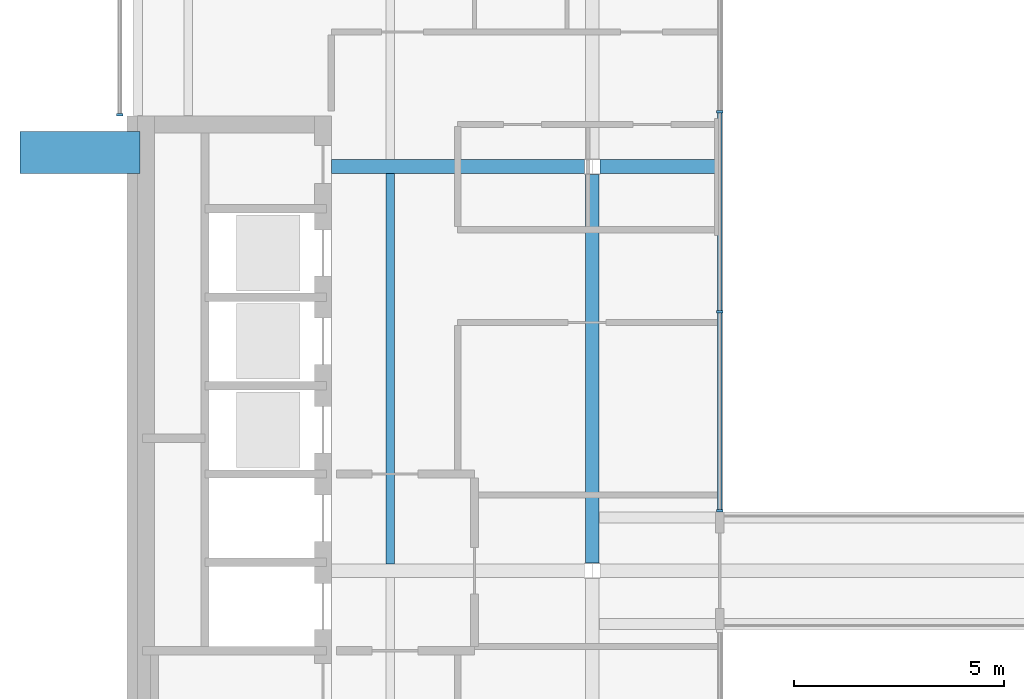
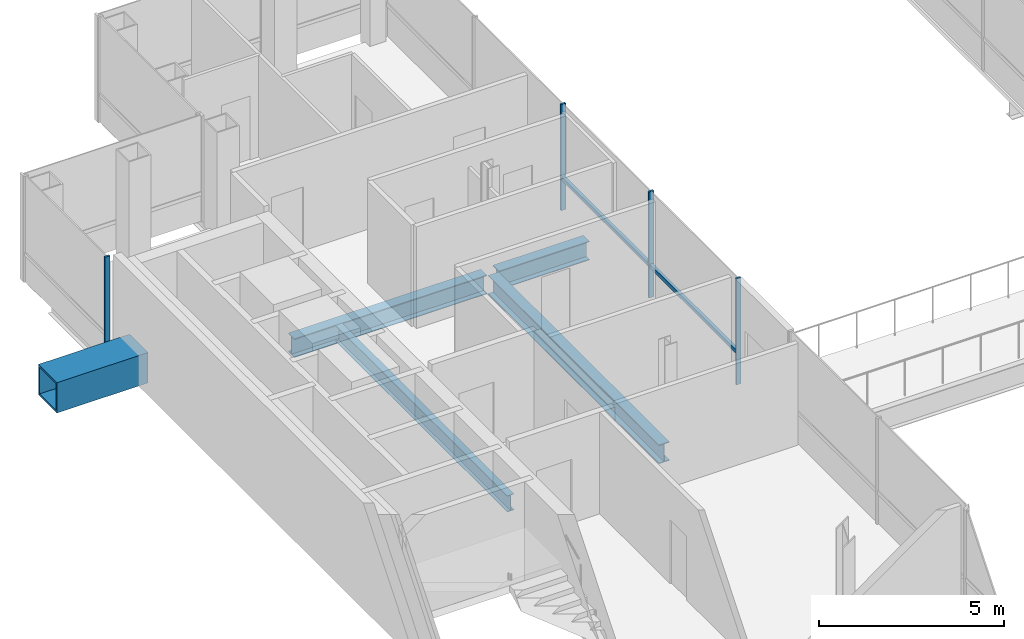
# One storey, part 5 of 16: 6 members, 5 beams, 2 elements without a shape of their own.
"""IFC4 building model written with IfcOpenShell, lengths in metres."""

from ifc_helpers import new_model, si_unit, direction, frame, origin, origin_2d, place, context, subcontext, project, spatial, rectangle, hollow_rectangle, i_section, extrude, material, material_profile, profile_set, type_object, element, aggregate, save


model = new_model("IFC4")

# Units and contexts
model_context = context("Model", 3, precision=1e-05, world=origin(), true_north=direction((0.0, 1.0)))
body_context = subcontext(model_context, "Body", "Model", "MODEL_VIEW")
ifc_project = project(units=[si_unit("LENGTHUNIT", "METRE"), si_unit("AREAUNIT", "SQUARE_METRE"), si_unit("VOLUMEUNIT", "CUBIC_METRE"), si_unit("PLANEANGLEUNIT", "RADIAN"), si_unit("MASSUNIT", "GRAM", prefix="KILO")], contexts=[model_context])

# Site, building, storey
site_placement = place(None, origin())
site = spatial("IfcSite", under=ifc_project, at=site_placement, CompositionType="ELEMENT")
building_placement = place(site_placement, origin())
building = spatial("IfcBuilding", under=site, at=building_placement, Name="Cobrizo Arcos Hotel Tower", CompositionType="ELEMENT")
storey_placement = place(building_placement, frame((0.0, 0.0, 229.5)))
storey = spatial("IfcBuildingStorey", under=building, at=storey_placement, Name="L60", CompositionType="ELEMENT", Elevation=229.5)

# Beam
ifc_material_1 = material(Name="Steel ASTM A572 Grade 50", Category="steel")
ifc_material_profile_1 = material_profile(ifc_material_1, hollow_rectangle(XDim=1.0, YDim=1.0, WallThickness=0.06005859375, at=origin_2d()), Name="BOX 1000X1000X60")
ifc_profile_set_1 = profile_set([ifc_material_profile_1], Name="Steel ASTM A572 Grade 50")
beam_type_1 = type_object("IfcBeamType", Name="BOX 1000X1000X60 brace connector strut", PredefinedType="BEAM", material=ifc_profile_set_1)
beam_1_placement = place(storey_placement, frame((-20.35009765625, 9.933349609375, 0.5), z_axis=(-1.0, 0.0, 0.0), x_axis=(0.0, -1.0, 0.0)))
element("IfcBeam", 1, at=beam_1_placement, inside=storey, type_object=beam_type_1, Name="Perimeter brace stub BS1, zone Z4, west face, offset +9.93 m, L60", PredefinedType="BEAM", context=body_context, shape_type="SweptSolid", body=[
    extrude(hollow_rectangle(XDim=1.0, YDim=1.0, WallThickness=0.06005859375, at=origin_2d()), origin(), (0.0, 0.0, 1.0), 2.844970703125),
])

# Curtain wall, member
ifc_material_2 = material(Name="Aluminium 6063-T6 anodised bronze", Category="aluminium")
curtain_wall_type_1 = type_object("IfcCurtainWallType", Name="CW-A guest facade", PredefinedType="NOTDEFINED", material=ifc_material_2)
curtain_wall_1_placement = place(storey_placement, origin())
curtain_wall_1 = element("IfcCurtainWall", 2, at=curtain_wall_1_placement, inside=storey, type_object=curtain_wall_type_1, Name="CW-A L60 W face", PredefinedType="NOTDEFINED")
ifc_material_profile_2 = material_profile(ifc_material_2, rectangle(XDim=0.14990234375, YDim=0.06005859375, at=origin_2d()), Name="CW-A mullion 150x60")
ifc_profile_set_2 = profile_set([ifc_material_profile_2], Name="Aluminium 6063-T6 anodised bronze")
member_type_1 = type_object("IfcMemberType", Name="CW-A mullion 150x60", PredefinedType="MULLION", material=ifc_profile_set_2)
member_1_placement = place(storey_placement, frame((-20.824951171875, 10.830078125, 0.0), z_axis=(0.0, 0.0, 1.0), x_axis=(-1.0, 0.0, 0.0)))
member_1 = element("IfcMember", 3, at=member_1_placement, type_object=member_type_1, Name="CW-A mullion 2", PredefinedType="MULLION", context=body_context, shape_type="SweptSolid", body=[
    extrude(rectangle(XDim=0.14990234375, YDim=0.06005859375, at=origin_2d()), origin(), (0.0, 0.0, 1.0), 3.5),
])
aggregate(curtain_wall_1, [member_1])

# Curtain wall, members
curtain_wall_type_2 = type_object("IfcCurtainWallType", Name="CW-F void screen", PredefinedType="NOTDEFINED", material=ifc_material_2)
curtain_wall_2_placement = place(storey_placement, origin())
curtain_wall_2 = element("IfcCurtainWall", 4, at=curtain_wall_2_placement, inside=storey, type_object=curtain_wall_type_2, Name="CW-F L60 void screen C", PredefinedType="NOTDEFINED")
ifc_material_profile_3 = material_profile(ifc_material_2, rectangle(XDim=0.14990234375, YDim=0.06005859375, at=origin_2d()), Name="CW-F mullion 150x60")
ifc_profile_set_3 = profile_set([ifc_material_profile_3], Name="Aluminium 6063-T6 anodised bronze")
member_type_2 = type_object("IfcMemberType", Name="CW-F mullion 150x60", PredefinedType="MULLION", material=ifc_profile_set_3)
member_2_placement = place(storey_placement, frame((-6.574951171875, 10.89990234375, 0.0), z_axis=(0.0, 0.0, 1.0), x_axis=(-1.0, 0.0, 0.0)))
member_2 = element("IfcMember", 5, at=member_2_placement, type_object=member_type_2, Name="CW-F mullion 3", PredefinedType="MULLION", context=body_context, shape_type="SweptSolid", body=[
    extrude(rectangle(XDim=0.14990234375, YDim=0.06005859375, at=origin_2d()), origin(), (0.0, 0.0, 1.0), 3.5),
])
member_3_placement = place(storey_placement, frame((-6.574951171875, 6.14990234375, 0.0), z_axis=(0.0, 0.0, 1.0), x_axis=(-1.0, 0.0, 0.0)))
member_3 = element("IfcMember", 6, at=member_3_placement, type_object=member_type_2, Name="CW-F mullion 4", PredefinedType="MULLION", context=body_context, shape_type="SweptSolid", body=[
    extrude(rectangle(XDim=0.14990234375, YDim=0.06005859375, at=origin_2d()), origin(), (0.0, 0.0, 1.0), 3.5),
])
member_4_placement = place(storey_placement, frame((-6.574951171875, 1.429931640625, 0.0), z_axis=(0.0, 0.0, 1.0), x_axis=(-1.0, 0.0, 0.0)))
member_4 = element("IfcMember", 7, at=member_4_placement, type_object=member_type_2, Name="CW-F mullion 5", PredefinedType="MULLION", context=body_context, shape_type="SweptSolid", body=[
    extrude(rectangle(XDim=0.14990234375, YDim=0.06005859375, at=origin_2d()), origin(), (0.0, 0.0, 1.0), 3.5),
])
ifc_material_profile_4 = material_profile(ifc_material_2, rectangle(XDim=0.10009765625, YDim=0.1201171875, at=origin_2d()), Name="CW-F transom 120x100")
ifc_profile_set_4 = profile_set([ifc_material_profile_4], Name="Aluminium 6063-T6 anodised bronze")
member_type_3 = type_object("IfcMemberType", Name="CW-F transom 120x100", PredefinedType="USERDEFINED", material=ifc_profile_set_4)
member_5_placement = place(storey_placement, frame((-6.574951171875, 10.8701171875, 1.050048828125), z_axis=(0.0, -1.0, 0.0), x_axis=(1.0, 0.0, 0.0)))
member_5 = element("IfcMember", 8, at=member_5_placement, type_object=member_type_3, Name="CW-F transom 2742", ObjectType="TRANSOM", PredefinedType="USERDEFINED", context=body_context, shape_type="SweptSolid", body=[
    extrude(rectangle(XDim=0.10009765625, YDim=0.1201171875, at=origin_2d()), origin(), (0.0, 0.0, 1.0), 4.690185546875),
])
member_6_placement = place(storey_placement, frame((-6.574951171875, 6.1201171875, 1.050048828125), z_axis=(0.0, -1.0, 0.0), x_axis=(1.0, 0.0, 0.0)))
member_6 = element("IfcMember", 9, at=member_6_placement, type_object=member_type_3, Name="CW-F transom 2743", ObjectType="TRANSOM", PredefinedType="USERDEFINED", context=body_context, shape_type="SweptSolid", body=[
    extrude(rectangle(XDim=0.10009765625, YDim=0.1201171875, at=origin_2d()), origin(), (0.0, 0.0, 1.0), 4.66015625),
])
aggregate(curtain_wall_2, [member_2, member_3, member_4, member_5, member_6])

# Beams
ifc_material_3 = material(Name="Steel ASTM A992 Grade 50", Category="steel")
ifc_material_profile_5 = material_profile(ifc_material_3, i_section(OverallWidth=0.209228515625, OverallDepth=0.533447265625, WebThickness=0.01025390625, FlangeThickness=0.015625, at=origin_2d()), Name="W21X62")
ifc_profile_set_5 = profile_set([ifc_material_profile_5], Name="Steel ASTM A992 Grade 50")
beam_type_2 = type_object("IfcBeamType", Name="W21X62 joist", PredefinedType="JOIST", material=ifc_profile_set_5)
beam_2_placement = place(storey_placement, frame((-14.39990234375, 0.163818359375, -0.416748046875), z_axis=(0.0, 1.0, 0.0), x_axis=(-1.0, 0.0, 0.0)))
element("IfcBeam", 10, at=beam_2_placement, inside=storey, type_object=beam_type_2, Name="Floor joist J1, L60, no. 005", PredefinedType="JOIST", context=body_context, shape_type="SweptSolid", body=[
    extrude(i_section(OverallWidth=0.209228515625, OverallDepth=0.533447265625, WebThickness=0.01025390625, FlangeThickness=0.015625, at=origin_2d()), origin(), (0.0, 0.0, 1.0), 9.272216796875),
])
ifc_material_profile_6 = material_profile(ifc_material_3, i_section(OverallWidth=0.32763671875, OverallDepth=0.622314453125, WebThickness=0.015380859375, FlangeThickness=0.0244140625, at=origin_2d()), Name="W24X131")
ifc_profile_set_6 = profile_set([ifc_material_profile_6], Name="Steel ASTM A992 Grade 50")
beam_type_3 = type_object("IfcBeamType", Name="W24X131 girder", PredefinedType="BEAM", material=ifc_profile_set_6)
beam_3_placement = place(storey_placement, frame((-15.7900390625, 9.60009765625, -0.461181640625), z_axis=(1.0, 0.0, 0.0), x_axis=(0.0, 1.0, 0.0)))
element("IfcBeam", 11, at=beam_3_placement, inside=storey, type_object=beam_type_3, Name="Floor girder G1, L60, no. 008", PredefinedType="BEAM", context=body_context, shape_type="SweptSolid", body=[
    extrude(i_section(OverallWidth=0.32763671875, OverallDepth=0.622314453125, WebThickness=0.015380859375, FlangeThickness=0.0244140625, at=origin_2d()), origin(), (0.0, 0.0, 1.0), 6.00341796875),
])
beam_4_placement = place(storey_placement, frame((-9.413330078125, 9.60009765625, -0.461181640625), z_axis=(1.0, 0.0, 0.0), x_axis=(0.0, 1.0, 0.0)))
element("IfcBeam", 12, at=beam_4_placement, inside=storey, type_object=beam_type_3, Name="Floor girder G1, L60, no. 009", PredefinedType="BEAM", context=body_context, shape_type="SweptSolid", body=[
    extrude(i_section(OverallWidth=0.32763671875, OverallDepth=0.622314453125, WebThickness=0.015380859375, FlangeThickness=0.0244140625, at=origin_2d()), origin(), (0.0, 0.0, 1.0), 2.8232421875),
])
beam_5_placement = place(storey_placement, frame((-9.60009765625, 0.186767578125, -0.461181640625), z_axis=(0.0, 1.0, 0.0), x_axis=(-1.0, 0.0, 0.0)))
element("IfcBeam", 13, at=beam_5_placement, inside=storey, type_object=beam_type_3, Name="Floor girder G1, L60, no. 014", PredefinedType="BEAM", context=body_context, shape_type="SweptSolid", body=[
    extrude(i_section(OverallWidth=0.32763671875, OverallDepth=0.622314453125, WebThickness=0.015380859375, FlangeThickness=0.0244140625, at=origin_2d()), origin(), (0.0, 0.0, 1.0), 9.2265625),
])

save(model, "model.ifc")
